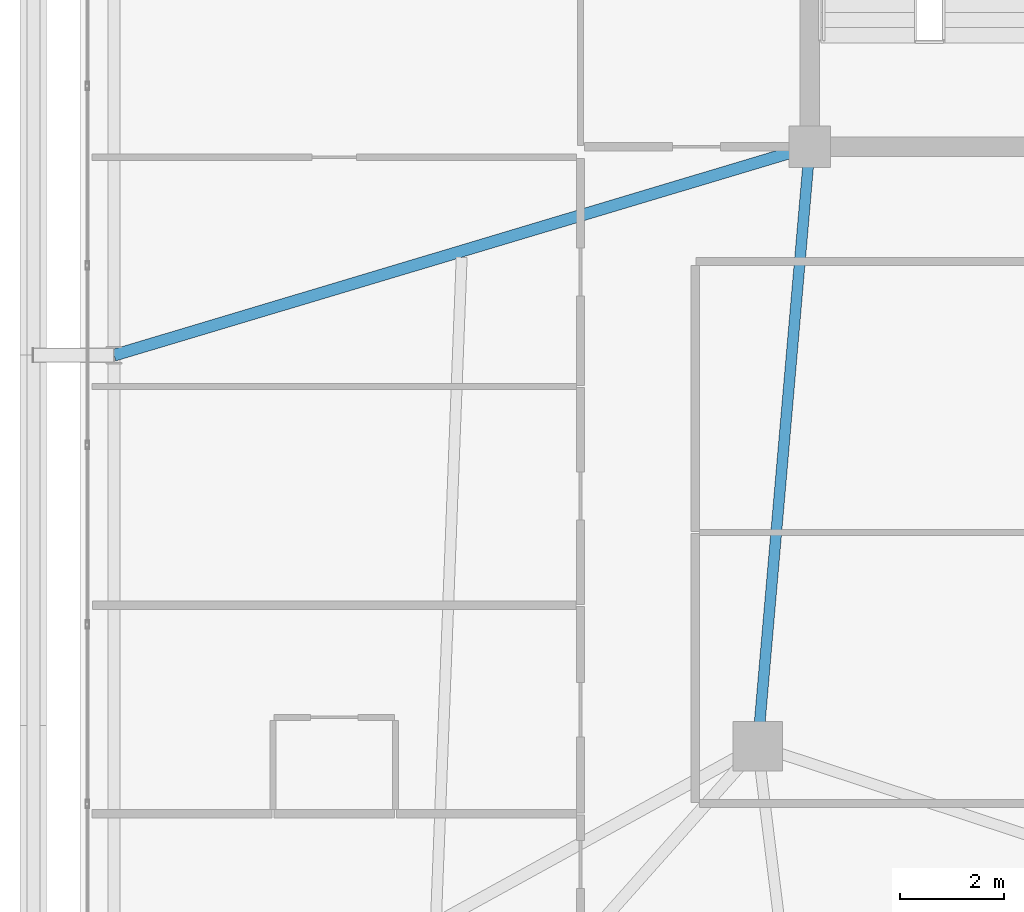
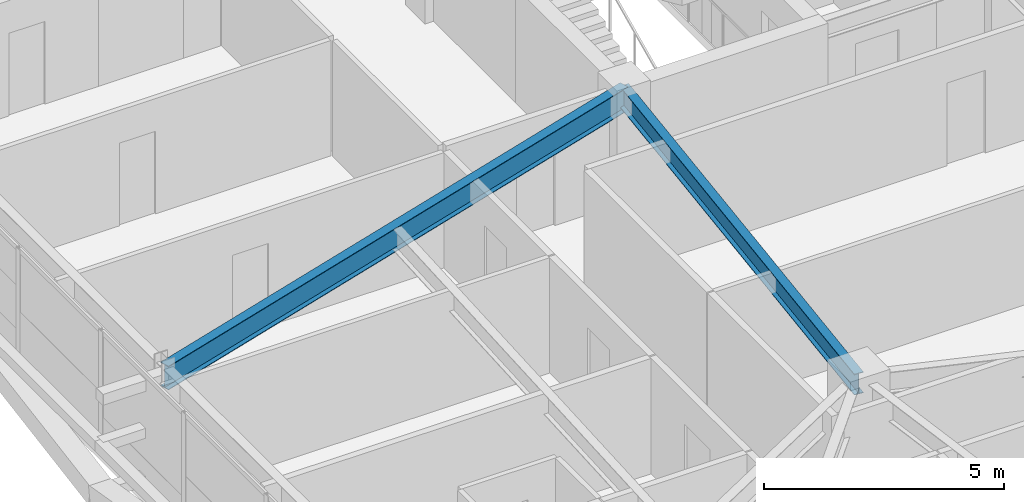
# One storey, part 15 of 59: 2 beams.
"""IFC4 building model written with IfcOpenShell, lengths in metres."""

import ifcopenshell
import ifcopenshell.guid

model = None  # the IFC model being written
_history = None  # IfcOwnerHistory: only IFC2X3 demands one
_inside = {}  # id of a spatial element -> (the spatial element, [elements in it])
_under = {}  # id of a project, library or spatial element -> (it, [spatial elements below it])
_declared = {}  # id of a project -> (the project, [libraries it declares])
_typed = {}  # id of a type object -> (the type object, [elements of that type])
_made_of = {}  # id of a material, layer set ... -> (it, [elements and type objects made of it])


def new_model(schema):
    """Start an empty IFC model of exactly this schema.

    Asked for "IFC4X3", IfcOpenShell would pick the latest addendum, in which some entities
    have other attributes; the version numbers below select the first issue.
    IFC2X3 requires an IfcOwnerHistory on every rooted entity: one is made here for all.
    """
    global model, _history
    if schema == "IFC4X3":
        model = ifcopenshell.file(schema_version=(4, 3, 0, 0))
    else:
        model = ifcopenshell.file(schema=schema)
    _inside.clear()
    _under.clear()
    _declared.clear()
    _typed.clear()
    _made_of.clear()
    _history = None
    if model.schema == "IFC2X3":
        org = make("IfcOrganization", Name="unknown")
        user = make(
            "IfcPersonAndOrganization",
            ThePerson=make("IfcPerson", FamilyName="unknown"),
            TheOrganization=org,
        )
        app = make(
            "IfcApplication",
            ApplicationDeveloper=org,
            Version="unknown",
            ApplicationFullName="unknown",
            ApplicationIdentifier="unknown",
        )
        _history = make(
            "IfcOwnerHistory",
            OwningUser=user,
            OwningApplication=app,
            ChangeAction="ADDED",
            CreationDate=0,
        )
    return model


def make(cls, **values):
    """One entity of the class cls with the attributes given. An attribute that is None is left unset."""
    return model.create_entity(
        cls, **{name: value for name, value in values.items() if value is not None}
    )


def rooted(cls, **values):
    """An entity with a GlobalId (a new one), such as an element, a storey or a relation."""
    return make(cls, GlobalId=ifcopenshell.guid.new(), OwnerHistory=_history, **values)


def si_unit(unit_type, name, prefix=None):
    """IfcSIUnit, for example si_unit("LENGTHUNIT", "METRE", prefix="MILLI")."""
    return make("IfcSIUnit", UnitType=unit_type, Prefix=prefix, Name=name)


def assignment(units):
    """IfcUnitAssignment: the units of a project."""
    return None if units is None else make("IfcUnitAssignment", Units=units)


def point(xyz):
    """IfcCartesianPoint."""
    return None if xyz is None else make("IfcCartesianPoint", Coordinates=xyz)


def direction(xyz):
    """IfcDirection."""
    return None if xyz is None else make("IfcDirection", DirectionRatios=xyz)


def frame(location, z_axis=None, x_axis=None):
    """IfcAxis2Placement3D, a coordinate frame: its origin and axes. An axis left out is left unset."""
    return make(
        "IfcAxis2Placement3D",
        Location=point(location),
        Axis=direction(z_axis),
        RefDirection=direction(x_axis),
    )


def frame_2d(location, x_axis=None):
    """IfcAxis2Placement2D, a coordinate frame in the plane: its origin and x axis."""
    return make(
        "IfcAxis2Placement2D", Location=point(location), RefDirection=direction(x_axis)
    )


def origin():
    """The frame at (0, 0, 0) with its axes left unset."""
    return frame((0.0, 0.0, 0.0))


def origin_2d():
    """The frame at (0, 0) in the plane with its x axis left unset."""
    return frame_2d((0.0, 0.0))


def place(relative_to, where):
    """IfcLocalPlacement: puts the frame where relative to a parent placement (None: the world)."""
    return make(
        "IfcLocalPlacement", PlacementRelTo=relative_to, RelativePlacement=where
    )


def context(
    kind, dimensions, precision=None, world=None, true_north=None, identifier=None
):
    """IfcGeometricRepresentationContext, for example the 3D "Model" context."""
    return make(
        "IfcGeometricRepresentationContext",
        ContextIdentifier=identifier,
        ContextType=kind,
        CoordinateSpaceDimension=dimensions,
        Precision=precision,
        WorldCoordinateSystem=world,
        TrueNorth=true_north,
    )


def subcontext(parent, identifier, kind, view, scale=None):
    """IfcGeometricRepresentationSubContext, for example "Body" below "Model"."""
    return make(
        "IfcGeometricRepresentationSubContext",
        ContextIdentifier=identifier,
        ContextType=kind,
        ParentContext=parent,
        TargetScale=scale,
        TargetView=view,
    )


def project(units=None, contexts=None):
    """IfcProject with its units and contexts."""
    return rooted(
        "IfcProject",
        Name="project",
        RepresentationContexts=contexts,
        UnitsInContext=assignment(units),
    )


def spatial(cls, under=None, at=None, **own):
    """A site, building, storey or space (cls), placed at a placement, below another one or the project."""
    s = rooted(cls, ObjectPlacement=at, **own)
    if under is not None:
        _under.setdefault(under.id(), (under, []))[1].append(s)
    return s


def profile(cls, at=None, kind="AREA", **sizes):
    """A parametric profile (cls). Its sizes go by their IFC names, for example OverallWidth=200.0."""
    return make(cls, ProfileType=kind, Position=at, **sizes)


def i_section(**sizes):
    """IfcIShapeProfileDef."""
    return profile("IfcIShapeProfileDef", **sizes)


def extrude(swept, where, along, depth):
    """IfcExtrudedAreaSolid: the profile swept, set in the frame where, extruded along a direction by depth."""
    return make(
        "IfcExtrudedAreaSolid",
        SweptArea=swept,
        Position=where,
        ExtrudedDirection=direction(along),
        Depth=depth,
    )


def shape(context_of_items, identifier, shape_type, items):
    """IfcShapeRepresentation: the items that make up one representation, for example the "Body"."""
    return make(
        "IfcShapeRepresentation",
        ContextOfItems=context_of_items,
        RepresentationIdentifier=identifier,
        RepresentationType=shape_type,
        Items=items,
    )


def source(mapping_origin, context_of_items, identifier, shape_type, items):
    """IfcRepresentationMap: a shape defined once, which mapped items show again and again."""
    return make(
        "IfcRepresentationMap",
        MappingOrigin=mapping_origin,
        MappedRepresentation=shape(context_of_items, identifier, shape_type, items),
    )


def transform(
    local_origin,
    x_axis=None,
    y_axis=None,
    z_axis=None,
    scale=None,
    scale2=None,
    scale3=None,
    uniform=True,
):
    """IfcCartesianTransformationOperator3D, or its non-uniform kind. x_axis, y_axis, z_axis: its Axis1, 2, 3."""
    if uniform:
        return make(
            "IfcCartesianTransformationOperator3D",
            Axis1=direction(x_axis),
            Axis2=direction(y_axis),
            LocalOrigin=point(local_origin),
            Scale=scale,
            Axis3=direction(z_axis),
        )
    return make(
        "IfcCartesianTransformationOperator3DnonUniform",
        Axis1=direction(x_axis),
        Axis2=direction(y_axis),
        LocalOrigin=point(local_origin),
        Scale=scale,
        Axis3=direction(z_axis),
        Scale2=scale2,
        Scale3=scale3,
    )


def mapped(mapping_source, mapping_target):
    """IfcMappedItem: shows the shape of a source again, moved by a transform."""
    return make(
        "IfcMappedItem", MappingSource=mapping_source, MappingTarget=mapping_target
    )


def material(Name=None, Category=None):
    """IfcMaterial."""
    return make("IfcMaterial", Name=Name, Category=Category)


def material_profile(
    of_material, cross_section, Name=None, Category=None, Priority=None
):
    """IfcMaterialProfile: a cross section and its material."""
    return make(
        "IfcMaterialProfile",
        Name=Name,
        Material=of_material,
        Profile=cross_section,
        Priority=Priority,
        Category=Category,
    )


def profile_set(profiles, Name=None, composite=None):
    """IfcMaterialProfileSet."""
    return make(
        "IfcMaterialProfileSet",
        Name=Name,
        MaterialProfiles=profiles,
        CompositeProfile=composite,
    )


def made_of(thing, what):
    """Note that an element or type object is made of a material, layer set ...; save() writes the relation."""
    if what is not None:
        _made_of.setdefault(what.id(), (what, []))[1].append(thing)
    return thing


def type_object(cls, material=None, **own):
    """A type object (cls), such as IfcWallType, which elements share."""
    return made_of(rooted(cls, **own), material)


def element(
    cls,
    number,
    at=None,
    inside=None,
    cuts=None,
    type_object=None,
    material=None,
    context=None,
    identifier="Body",
    shape_type=None,
    held_by="IfcProductDefinitionShape",
    body=None,
    shapes=None,
    **own,
):
    """One element of the class cls, such as IfcWall. Its Tag is "e" and its number.

    at: its placement. inside: the storey or other place that contains it. cuts: it is an
    opening in that element (IfcRelVoidsElement). A single representation is given by context,
    identifier, shape_type and body (its items); several are given by shapes. held_by: the class
    of the entity that holds the representations. save() writes the other relations.
    """
    e = rooted(cls, Tag="e%d" % number, ObjectPlacement=at, **own)
    if body is not None:
        shapes = [shape(context, identifier, shape_type, body)]
    if shapes is not None:
        e.Representation = make(held_by, Representations=shapes)
    if inside is not None:
        _inside.setdefault(inside.id(), (inside, []))[1].append(e)
    if cuts is not None:
        rooted(
            "IfcRelVoidsElement", RelatingBuildingElement=cuts, RelatedOpeningElement=e
        )
    if type_object is not None:
        _typed.setdefault(type_object.id(), (type_object, []))[1].append(e)
    return made_of(e, material)


def aggregate(whole, parts):
    """IfcRelAggregates: a whole, such as a stair, and the parts it consists of."""
    return rooted("IfcRelAggregates", RelatingObject=whole, RelatedObjects=parts)


def save(model, path):
    """Write the relations noted so far, then the file.

    IfcRelAggregates (storeys below a building ...), IfcRelContainedInSpatialStructure (elements
    in a storey), IfcRelDefinesByType, IfcRelAssociatesMaterial and IfcRelDeclares: one each for
    every whole, place, type object, material and project.
    """
    for whole, parts in _under.values():
        aggregate(whole, parts)
    for where, things in _inside.values():
        rooted(
            "IfcRelContainedInSpatialStructure",
            RelatedElements=things,
            RelatingStructure=where,
        )
    for kind, things in _typed.values():
        rooted("IfcRelDefinesByType", RelatedObjects=things, RelatingType=kind)
    for what, things in _made_of.values():
        rooted("IfcRelAssociatesMaterial", RelatedObjects=things, RelatingMaterial=what)
    for by, libraries in _declared.values():
        rooted("IfcRelDeclares", RelatingContext=by, RelatedDefinitions=libraries)
    model.write(path)


model = new_model("IFC4")

# Units and contexts
model_context = context("Model", 3, precision=1e-05, world=origin(), true_north=direction((0.0, 1.0)))
body_context = subcontext(model_context, "Body", "Model", "MODEL_VIEW")
ifc_project = project(units=[si_unit("LENGTHUNIT", "METRE"), si_unit("AREAUNIT", "SQUARE_METRE"), si_unit("VOLUMEUNIT", "CUBIC_METRE"), si_unit("PLANEANGLEUNIT", "RADIAN"), si_unit("MASSUNIT", "GRAM", prefix="KILO")], contexts=[model_context])

# Site, building, storey
site_placement = place(None, origin())
site = spatial("IfcSite", under=ifc_project, at=site_placement, CompositionType="ELEMENT")
building_placement = place(site_placement, origin())
building = spatial("IfcBuilding", under=site, at=building_placement, Name="Taldren Reach Tower", CompositionType="ELEMENT")
storey_placement = place(building_placement, frame((0.0, 0.0, 19.949951171875)))
storey = spatial("IfcBuildingStorey", under=building, at=storey_placement, Name="L05", CompositionType="ELEMENT", Elevation=19.949951171875)

# Beams
ifc_material = material(Name="Steel Gr 350 (350PLUS)", Category="steel")
ifc_material_profile_1 = material_profile(ifc_material, i_section(OverallWidth=0.208984375, OverallDepth=0.532958984375, WebThickness=0.01025390625, FlangeThickness=0.015625, at=origin_2d()), Name="530UB92.4")
ifc_profile_set_1 = profile_set([ifc_material_profile_1], Name="Steel Gr 350 (350PLUS)")
beam_type_1 = type_object("IfcBeamType", Name="BM-UB530A", PredefinedType="BEAM", material=ifc_profile_set_1)
shared_shape_1 = source(origin(), body_context, "Body", "SweptSolid", [
    extrude(i_section(OverallWidth=0.208984375, OverallDepth=0.532958984375, WebThickness=0.01025390625, FlangeThickness=0.015625, at=origin_2d()), origin(), (0.0, 0.0, 1.0), 11.54345703125),
])
beam_1_placement = place(storey_placement, frame((19.0, 24.0, 2.66357421875), z_axis=(-0.086629616365, -0.996240588196, 0.0), x_axis=(0.996240588196, -0.086629616365, 0.0)))
element("IfcBeam", 1, at=beam_1_placement, inside=storey, type_object=beam_type_1, Name="Core-spine girder L05-SP09", PredefinedType="BEAM", context=body_context, shape_type="MappedRepresentation", body=[
    mapped(shared_shape_1, transform((0.0, 0.0, 0.0), scale=1.0)),
])
ifc_material_profile_2 = material_profile(ifc_material, i_section(OverallWidth=0.22802734375, OverallDepth=0.60205078125, WebThickness=0.010498046875, FlangeThickness=0.014892578125, at=origin_2d()), Name="610UB101")
ifc_profile_set_2 = profile_set([ifc_material_profile_2], Name="Steel Gr 350 (350PLUS)")
beam_type_2 = type_object("IfcBeamType", Name="BM-UB610B", PredefinedType="BEAM", material=ifc_profile_set_2)
shared_shape_2 = source(origin(), body_context, "Body", "SweptSolid", [
    extrude(i_section(OverallWidth=0.22802734375, OverallDepth=0.60205078125, WebThickness=0.010498046875, FlangeThickness=0.014892578125, at=origin_2d()), origin(), (0.0, 0.0, 1.0), 13.9365234375),
])
beam_2_placement = place(storey_placement, frame((19.0, 24.0, 2.629150390625), z_axis=(-0.957925550891, -0.287016792104, 0.0), x_axis=(0.287016792104, -0.957925550891, 0.0)))
element("IfcBeam", 2, at=beam_2_placement, inside=storey, type_object=beam_type_2, Name="Primary floor girder B1-W2 L05", PredefinedType="BEAM", context=body_context, shape_type="MappedRepresentation", body=[
    mapped(shared_shape_2, transform((0.0, 0.0, 0.0), scale=1.0)),
])

save(model, "model.ifc")
